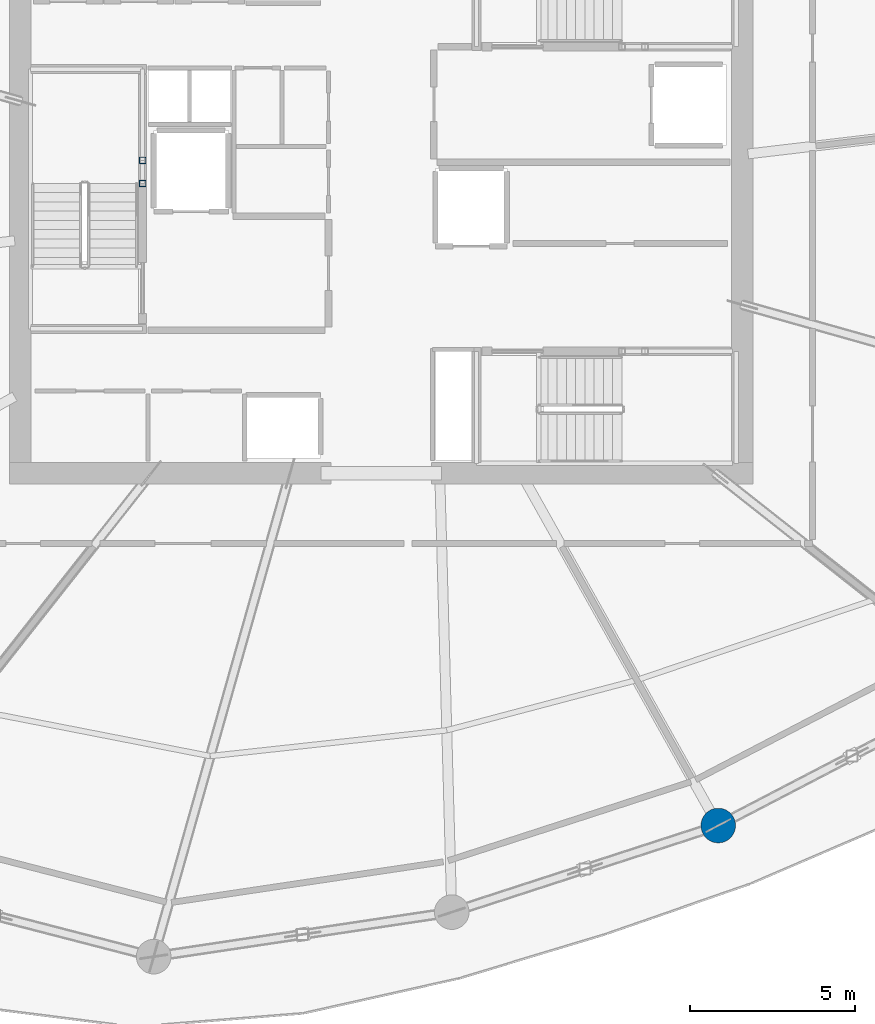
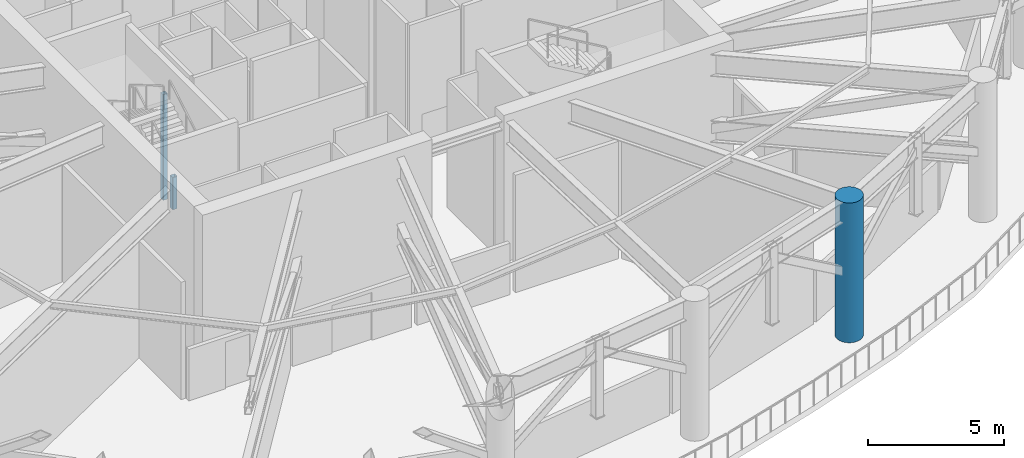
# One storey, part 2 of 20: 3 columns.
"""IFC4 building model written with IfcOpenShell, lengths in metres."""

from ifc_helpers import new_model, si_unit, direction, frame, origin, origin_2d, place, context, subcontext, project, spatial, hollow_rectangle, circle, extrude, material, material_profile, profile_set, type_object, element, save


model = new_model("IFC4")

# Units and contexts
model_context = context("Model", 3, precision=1e-05, world=origin(), true_north=direction((0.0, 1.0)))
body_context = subcontext(model_context, "Body", "Model", "MODEL_VIEW")
ifc_project = project(units=[si_unit("LENGTHUNIT", "METRE"), si_unit("AREAUNIT", "SQUARE_METRE"), si_unit("VOLUMEUNIT", "CUBIC_METRE"), si_unit("PLANEANGLEUNIT", "RADIAN"), si_unit("MASSUNIT", "GRAM", prefix="KILO")], contexts=[model_context])

# Site, building, storey
site_placement = place(None, origin())
site = spatial("IfcSite", under=ifc_project, at=site_placement, CompositionType="ELEMENT")
building_placement = place(site_placement, origin())
building = spatial("IfcBuilding", under=site, at=building_placement, Name="Kazma Halo Residences", CompositionType="ELEMENT")
storey_placement = place(building_placement, frame((0.0, 0.0, 225.300048828125)))
storey = spatial("IfcBuildingStorey", under=building, at=storey_placement, Name="L57", CompositionType="ELEMENT", Elevation=225.300048828125)

# Columns
ifc_material_1 = material(Name="Steel S355", Category="steel")
ifc_material_profile_1 = material_profile(ifc_material_1, hollow_rectangle(XDim=0.199951171875, YDim=0.199951171875, WallThickness=0.010009765625, InnerFilletRadius=0.010009765625, OuterFilletRadius=0.02001953125, at=origin_2d()), Name="SHS200x200x10")
ifc_profile_set_1 = profile_set([ifc_material_profile_1], Name="Steel S355")
column_type_1 = type_object("IfcColumnType", Name="COL-LP-SHS200", PredefinedType="COLUMN", material=ifc_profile_set_1)
column_1_placement = place(storey_placement, frame((41.179931640625, 42.469970703125, 0.0), z_axis=(0.0, 0.0, 1.0), x_axis=(1.0, 0.0, 0.0)))
element("IfcColumn", 1, at=column_1_placement, inside=storey, type_object=column_type_1, Name="L57 ST-01 landing pilaster 1", PredefinedType="COLUMN", context=body_context, shape_type="SweptSolid", body=[
    extrude(hollow_rectangle(XDim=0.199951171875, YDim=0.199951171875, WallThickness=0.010009765625, InnerFilletRadius=0.010009765625, OuterFilletRadius=0.02001953125, at=origin_2d()), origin(), (0.0, 0.0, 1.0), 1.445068359375),
])
column_2_placement = place(storey_placement, frame((41.179931640625, 43.169921875, 0.0), z_axis=(0.0, 0.0, 1.0), x_axis=(1.0, 0.0, 0.0)))
element("IfcColumn", 2, at=column_2_placement, inside=storey, type_object=column_type_1, Name="L57 ST-01 landing pilaster 3", PredefinedType="COLUMN", context=body_context, shape_type="SweptSolid", body=[
    extrude(hollow_rectangle(XDim=0.199951171875, YDim=0.199951171875, WallThickness=0.010009765625, InnerFilletRadius=0.010009765625, OuterFilletRadius=0.02001953125, at=origin_2d()), origin(), (0.0, 0.0, 1.0), 4.744873046875),
])
ifc_material_2 = material(Name="Concrete C80/95", Category="concrete")
ifc_material_profile_2 = material_profile(ifc_material_2, circle(Radius=0.52490234375, at=origin_2d()), Name="CIRC1050")
ifc_profile_set_2 = profile_set([ifc_material_profile_2], Name="Concrete C80/95")
column_type_2 = type_object("IfcColumnType", Name="COL-PERIM-1050", PredefinedType="COLUMN", material=ifc_profile_set_2)
column_3_placement = place(storey_placement, frame((58.645263671875, 22.99169921875, 0.0), z_axis=(0.0, 0.0, 1.0), x_axis=(1.0, 0.0, 0.0)))
element("IfcColumn", 3, at=column_3_placement, inside=storey, type_object=column_type_2, Name="L57 perimeter ring column P13", PredefinedType="COLUMN", context=body_context, shape_type="SweptSolid", body=[
    extrude(circle(Radius=0.52490234375, at=origin_2d()), origin(), (0.0, 0.0, 1.0), 6.280029296875),
])

save(model, "model.ifc")
